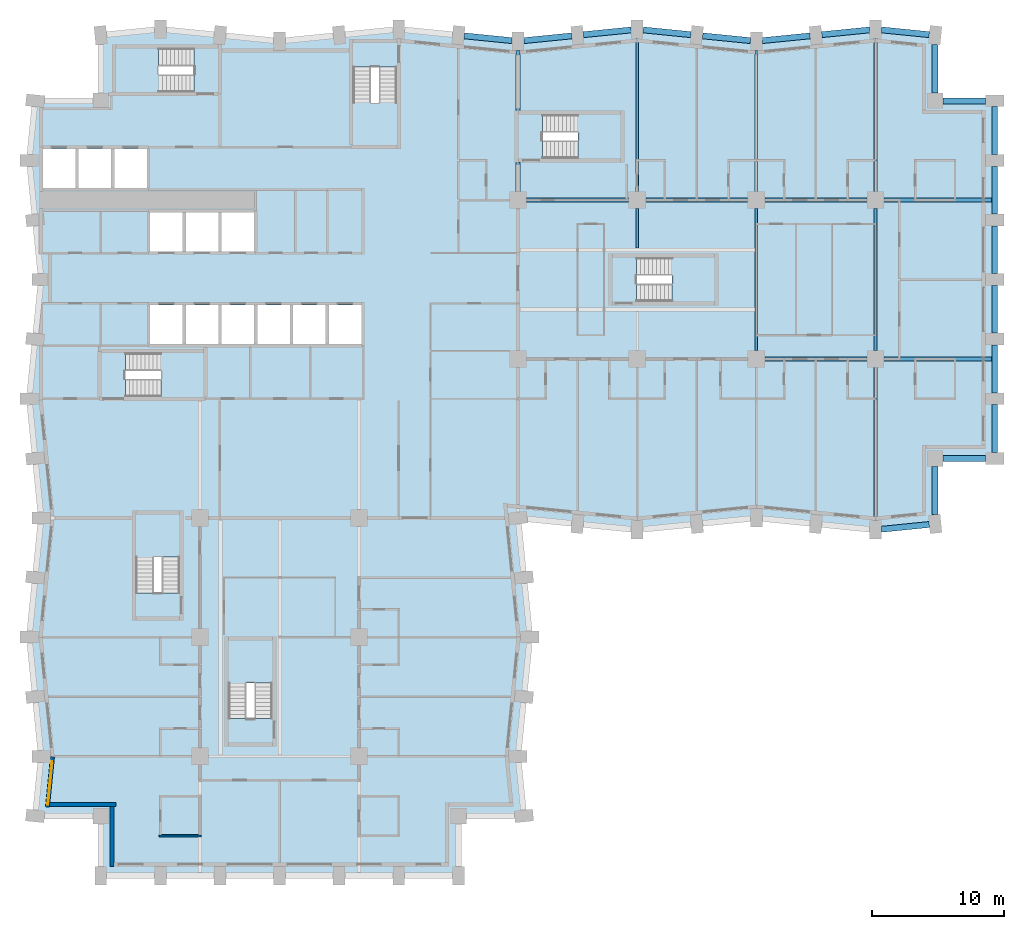
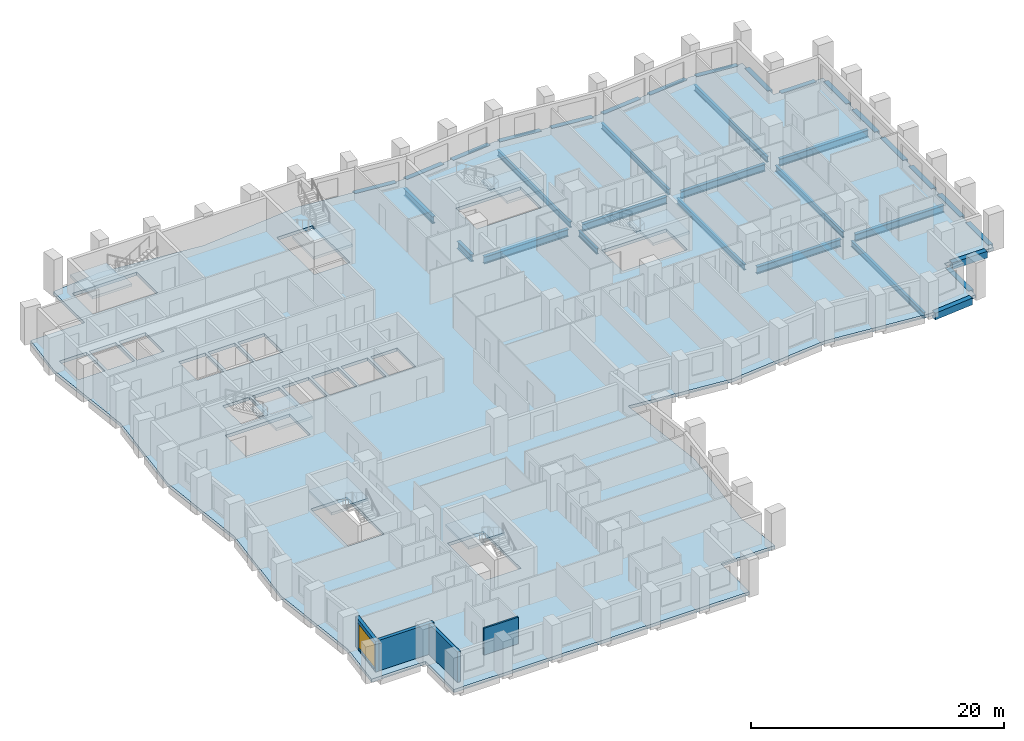
# One storey, part 2 of 13: 34 beams, 8 slabs, 4 walls, 1 window, 1 opening, 7 elements without a shape of their own.
"""IFC4 building model written with IfcOpenShell, lengths in metres."""

from ifc_helpers import new_model, si_unit, direction, frame, frame_2d, origin, origin_2d, place, context, subcontext, project, spatial, polyline, rectangle, i_section, outline, extrude, material, layer, layer_set, material_profile, profile_set, type_object, element, fill, aggregate, save


model = new_model("IFC4")

# Units and contexts
model_context = context("Model", 3, precision=1e-05, world=origin(), true_north=direction((0.0, 1.0)))
body_context = subcontext(model_context, "Body", "Model", "MODEL_VIEW")
ifc_project = project(units=[si_unit("LENGTHUNIT", "METRE"), si_unit("AREAUNIT", "SQUARE_METRE"), si_unit("VOLUMEUNIT", "CUBIC_METRE"), si_unit("PLANEANGLEUNIT", "RADIAN"), si_unit("MASSUNIT", "GRAM", prefix="KILO")], contexts=[model_context])

# Site, building, storey
site_placement = place(None, origin())
site = spatial("IfcSite", under=ifc_project, at=site_placement, CompositionType="ELEMENT")
building_placement = place(site_placement, origin())
building = spatial("IfcBuilding", under=site, at=building_placement, Name="Brondeck Convention Tower", CompositionType="ELEMENT")
storey_placement = place(building_placement, frame((0.0, 0.0, 41.10009765625)))
storey = spatial("IfcBuildingStorey", under=building, at=storey_placement, Name="L07", CompositionType="ELEMENT", Elevation=41.10009765625)

# Beams
ifc_material_1 = material(Name="Steel S355", Category="steel")
ifc_material_profile_1 = material_profile(ifc_material_1, i_section(OverallWidth=0.2099609375, OverallDepth=0.550048828125, WebThickness=0.010986328125, FlangeThickness=0.01708984375, FilletRadius=0.02392578125, at=origin_2d()), Name="IPE 550")
ifc_profile_set_1 = profile_set([ifc_material_profile_1], Name="Steel S355")
beam_type_1 = type_object("IfcBeamType", Name="Floor beam IPE 550", PredefinedType="BEAM", material=ifc_profile_set_1)
beam_1_placement = place(storey_placement, frame((45.0, 51.64990234375, -0.5751953125), z_axis=(0.0, 1.0, 0.0), x_axis=(-1.0, 0.0, 0.0)))
element("IfcBeam", 1, at=beam_1_placement, inside=storey, type_object=beam_type_1, Name="STR-FB-L07-002", PredefinedType="BEAM", context=body_context, shape_type="SweptSolid", body=[
    extrude(i_section(OverallWidth=0.2099609375, OverallDepth=0.550048828125, WebThickness=0.010986328125, FlangeThickness=0.01708984375, FilletRadius=0.02392578125, at=origin_2d()), origin(), (0.0, 0.0, 1.0), 11.550048828125),
])
beam_2_placement = place(storey_placement, frame((54.0, 39.64990234375, -0.5751953125), z_axis=(0.0, 1.0, 0.0), x_axis=(-1.0, 0.0, 0.0)))
element("IfcBeam", 2, at=beam_2_placement, inside=storey, type_object=beam_type_1, Name="STR-FB-L07-004", PredefinedType="BEAM", context=body_context, shape_type="SweptSolid", body=[
    extrude(i_section(OverallWidth=0.2099609375, OverallDepth=0.550048828125, WebThickness=0.010986328125, FlangeThickness=0.01708984375, FilletRadius=0.02392578125, at=origin_2d()), origin(), (0.0, 0.0, 1.0), 10.7001953125),
])
beam_3_placement = place(storey_placement, frame((54.0, 51.64990234375, -0.5751953125), z_axis=(0.0, 1.0, 0.0), x_axis=(-1.0, 0.0, 0.0)))
element("IfcBeam", 3, at=beam_3_placement, inside=storey, type_object=beam_type_1, Name="STR-FB-L07-005", PredefinedType="BEAM", context=body_context, shape_type="SweptSolid", body=[
    extrude(i_section(OverallWidth=0.2099609375, OverallDepth=0.550048828125, WebThickness=0.010986328125, FlangeThickness=0.01708984375, FilletRadius=0.02392578125, at=origin_2d()), origin(), (0.0, 0.0, 1.0), 10.650146484375),
])
beam_4_placement = place(storey_placement, frame((63.0, 26.800048828125, -0.5751953125), z_axis=(0.0, 1.0, 0.0), x_axis=(-1.0, 0.0, 0.0)))
element("IfcBeam", 4, at=beam_4_placement, inside=storey, type_object=beam_type_1, Name="STR-FB-L07-006", PredefinedType="BEAM", context=body_context, shape_type="SweptSolid", body=[
    extrude(i_section(OverallWidth=0.2099609375, OverallDepth=0.550048828125, WebThickness=0.010986328125, FlangeThickness=0.01708984375, FilletRadius=0.02392578125, at=origin_2d()), origin(), (0.0, 0.0, 1.0), 11.550048828125),
])
beam_5_placement = place(storey_placement, frame((63.0, 39.64990234375, -0.5751953125), z_axis=(0.0, 1.0, 0.0), x_axis=(-1.0, 0.0, 0.0)))
element("IfcBeam", 5, at=beam_5_placement, inside=storey, type_object=beam_type_1, Name="STR-FB-L07-007", PredefinedType="BEAM", context=body_context, shape_type="SweptSolid", body=[
    extrude(i_section(OverallWidth=0.2099609375, OverallDepth=0.550048828125, WebThickness=0.010986328125, FlangeThickness=0.01708984375, FilletRadius=0.02392578125, at=origin_2d()), origin(), (0.0, 0.0, 1.0), 10.7001953125),
])
beam_6_placement = place(storey_placement, frame((63.0, 51.64990234375, -0.5751953125), z_axis=(0.0, 1.0, 0.0), x_axis=(-1.0, 0.0, 0.0)))
element("IfcBeam", 6, at=beam_6_placement, inside=storey, type_object=beam_type_1, Name="STR-FB-L07-008", PredefinedType="BEAM", context=body_context, shape_type="SweptSolid", body=[
    extrude(i_section(OverallWidth=0.2099609375, OverallDepth=0.550048828125, WebThickness=0.010986328125, FlangeThickness=0.01708984375, FilletRadius=0.02392578125, at=origin_2d()), origin(), (0.0, 0.0, 1.0), 11.550048828125),
])
beam_7_placement = place(storey_placement, frame((45.0, 47.39990234375, -0.5751953125), z_axis=(0.0, 1.0, 0.0), x_axis=(-1.0, 0.0, 0.0)))
element("IfcBeam", 7, at=beam_7_placement, inside=storey, type_object=beam_type_1, Name="STR-FB-L07-015", PredefinedType="BEAM", context=body_context, shape_type="SweptSolid", body=[
    extrude(i_section(OverallWidth=0.2099609375, OverallDepth=0.550048828125, WebThickness=0.010986328125, FlangeThickness=0.01708984375, FilletRadius=0.02392578125, at=origin_2d()), origin(), (0.0, 0.0, 1.0), 2.9501953125),
])
ifc_material_profile_2 = material_profile(ifc_material_1, i_section(OverallWidth=0.300048828125, OverallDepth=0.699951171875, WebThickness=0.01708984375, FlangeThickness=0.031982421875, FilletRadius=0.027099609375, at=origin_2d()), Name="HEB 700")
ifc_profile_set_2 = profile_set([ifc_material_profile_2], Name="Steel S355")
beam_type_2 = type_object("IfcBeamType", Name="Girder HEB 700", PredefinedType="BEAM", material=ifc_profile_set_2)
beam_8_placement = place(storey_placement, frame((54.64990234375, 39.0, -0.650146484375), z_axis=(1.0, 0.0, 0.0), x_axis=(0.0, 1.0, 0.0)))
element("IfcBeam", 8, at=beam_8_placement, inside=storey, type_object=beam_type_2, Name="STR-GR-L07-003", PredefinedType="BEAM", context=body_context, shape_type="SweptSolid", body=[
    extrude(i_section(OverallWidth=0.300048828125, OverallDepth=0.699951171875, WebThickness=0.01708984375, FlangeThickness=0.031982421875, FilletRadius=0.027099609375, at=origin_2d()), origin(), (0.0, 0.0, 1.0), 7.7001953125),
])
beam_9_placement = place(storey_placement, frame((63.64990234375, 39.0, -0.650146484375), z_axis=(1.0, 0.0, 0.0), x_axis=(0.0, 1.0, 0.0)))
element("IfcBeam", 9, at=beam_9_placement, inside=storey, type_object=beam_type_2, Name="STR-GR-L07-004", PredefinedType="BEAM", context=body_context, shape_type="SweptSolid", body=[
    extrude(i_section(OverallWidth=0.300048828125, OverallDepth=0.699951171875, WebThickness=0.01708984375, FlangeThickness=0.031982421875, FilletRadius=0.027099609375, at=origin_2d()), origin(), (0.0, 0.0, 1.0), 8.125),
])
for number, where, z_axis, x_axis, name in (
    (10, (36.64990234375, 51.0, -0.650146484375), (1.0, 0.0, 0.0), (0.0, 1.0, 0.0), "STR-GR-L07-005"),
    (11, (45.64990234375, 51.0, -0.650146484375), (1.0, 0.0, 0.0), (0.0, 1.0, 0.0), "STR-GR-L07-006"),
    (12, (54.64990234375, 51.0, -0.650146484375), (1.0, 0.0, 0.0), (0.0, 1.0, 0.0), "STR-GR-L07-007"),
):
    element("IfcBeam", number, at=place(storey_placement, frame(where, z_axis=z_axis, x_axis=x_axis)), inside=storey, type_object=beam_type_2, Name=name, PredefinedType="BEAM", context=body_context, shape_type="SweptSolid", body=[
        extrude(i_section(OverallWidth=0.300048828125, OverallDepth=0.699951171875, WebThickness=0.01708984375, FlangeThickness=0.031982421875, FilletRadius=0.027099609375, at=origin_2d()), origin(), (0.0, 0.0, 1.0), 7.7001953125),
    ])
beam_10_placement = place(storey_placement, frame((63.64990234375, 51.0, -0.650146484375), z_axis=(1.0, 0.0, 0.0), x_axis=(0.0, 1.0, 0.0)))
element("IfcBeam", 13, at=beam_10_placement, inside=storey, type_object=beam_type_2, Name="STR-GR-L07-008", PredefinedType="BEAM", context=body_context, shape_type="SweptSolid", body=[
    extrude(i_section(OverallWidth=0.300048828125, OverallDepth=0.699951171875, WebThickness=0.01708984375, FlangeThickness=0.031982421875, FilletRadius=0.027099609375, at=origin_2d()), origin(), (0.0, 0.0, 1.0), 8.125),
])
beam_11_placement = place(storey_placement, frame((36.0, 51.64990234375, -0.650146484375), z_axis=(0.0, 1.0, 0.0), x_axis=(-1.0, 0.0, 0.0)))
element("IfcBeam", 14, at=beam_11_placement, inside=storey, type_object=beam_type_2, Name="STR-GR-L07-011", PredefinedType="BEAM", context=body_context, shape_type="SweptSolid", body=[
    extrude(i_section(OverallWidth=0.300048828125, OverallDepth=0.699951171875, WebThickness=0.01708984375, FlangeThickness=0.031982421875, FilletRadius=0.027099609375, at=origin_2d()), origin(), (0.0, 0.0, 1.0), 2.22998046875),
])
beam_12_placement = place(storey_placement, frame((36.0, 57.719970703125, -0.650146484375), z_axis=(0.0, 1.0, 0.0), x_axis=(-1.0, 0.0, 0.0)))
element("IfcBeam", 15, at=beam_12_placement, inside=storey, type_object=beam_type_2, Name="STR-GR-L07-012", PredefinedType="BEAM", context=body_context, shape_type="SweptSolid", body=[
    extrude(i_section(OverallWidth=0.300048828125, OverallDepth=0.699951171875, WebThickness=0.01708984375, FlangeThickness=0.031982421875, FilletRadius=0.027099609375, at=origin_2d()), origin(), (0.0, 0.0, 1.0), 4.580078125),
])
ifc_material_2 = material(Name="Concrete C80/95", Category="concrete")
ifc_material_profile_3 = material_profile(ifc_material_2, rectangle(XDim=0.449951171875, YDim=0.64990234375, at=origin_2d()), Name="Precast spandrel 450x650 Concrete C80/95")
ifc_profile_set_3 = profile_set([ifc_material_profile_3], Name="Concrete C80/95")
beam_type_3 = type_object("IfcBeamType", Name="Precast spandrel 450x650 Concrete C80/95", PredefinedType="SPANDREL", material=ifc_profile_set_3)
beam_13_placement = place(storey_placement, frame((63.449951171875, 26.14501953125, -0.3251953125), z_axis=(0.995040528141, 0.099470334057, 0.0), x_axis=(-0.099470334057, 0.995040528141, 0.0)))
element("IfcBeam", 16, at=beam_13_placement, inside=storey, type_object=beam_type_3, Name="STR-SP-L07-020", PredefinedType="SPANDREL", context=body_context, shape_type="SweptSolid", body=[
    extrude(rectangle(XDim=0.449951171875, YDim=0.64990234375, at=origin_2d()), origin(), (0.0, 0.0, 1.0), 3.620361328125),
])
beam_14_placement = place(storey_placement, frame((67.5, 27.25341796875, -0.3251953125), z_axis=(0.0, 1.0, 0.0), x_axis=(-1.0, 0.0, 0.0)))
element("IfcBeam", 17, at=beam_14_placement, inside=storey, type_object=beam_type_3, Name="STR-SP-L07-021", PredefinedType="SPANDREL", context=body_context, shape_type="SweptSolid", body=[
    extrude(rectangle(XDim=0.449951171875, YDim=0.64990234375, at=origin_2d()), origin(), (0.0, 0.0, 1.0), 3.646484375),
])
beam_15_placement = place(storey_placement, frame((68.10009765625, 31.5, -0.3251953125), z_axis=(1.0, 0.0, 0.0), x_axis=(0.0, 1.0, 0.0)))
element("IfcBeam", 18, at=beam_15_placement, inside=storey, type_object=beam_type_3, Name="STR-SP-L07-022", PredefinedType="SPANDREL", context=body_context, shape_type="SweptSolid", body=[
    extrude(rectangle(XDim=0.449951171875, YDim=0.64990234375, at=origin_2d()), origin(), (0.0, 0.0, 1.0), 3.199951171875),
])
for number, where, z_axis, x_axis, name in (
    (19, (72.0, 31.949951171875, -0.3251953125), (0.0, 1.0, 0.0), (-1.0, 0.0, 0.0), "STR-SP-L07-023"),
    (20, (72.0, 36.449951171875, -0.3251953125), (0.0, 1.0, 0.0), (-1.0, 0.0, 0.0), "STR-SP-L07-024"),
    (21, (72.0, 40.949951171875, -0.3251953125), (0.0, 1.0, 0.0), (-1.0, 0.0, 0.0), "STR-SP-L07-025"),
    (22, (72.0, 45.449951171875, -0.3251953125), (0.0, 1.0, 0.0), (-1.0, 0.0, 0.0), "STR-SP-L07-026"),
    (23, (72.0, 49.949951171875, -0.3251953125), (0.0, 1.0, 0.0), (-1.0, 0.0, 0.0), "STR-SP-L07-027"),
    (24, (72.0, 54.449951171875, -0.3251953125), (0.0, 1.0, 0.0), (-1.0, 0.0, 0.0), "STR-SP-L07-028"),
):
    element("IfcBeam", number, at=place(storey_placement, frame(where, z_axis=z_axis, x_axis=x_axis)), inside=storey, type_object=beam_type_3, Name=name, PredefinedType="SPANDREL", context=body_context, shape_type="SweptSolid", body=[
        extrude(rectangle(XDim=0.449951171875, YDim=0.64990234375, at=origin_2d()), origin(), (0.0, 0.0, 1.0), 3.60009765625),
    ])
beam_16_placement = place(storey_placement, frame((71.300048828125, 58.5, -0.3251953125), z_axis=(-1.0, 0.0, 0.0), x_axis=(0.0, -1.0, 0.0)))
element("IfcBeam", 25, at=beam_16_placement, inside=storey, type_object=beam_type_3, Name="STR-SP-L07-029", PredefinedType="SPANDREL", context=body_context, shape_type="SweptSolid", body=[
    extrude(rectangle(XDim=0.449951171875, YDim=0.64990234375, at=origin_2d()), origin(), (0.0, 0.0, 1.0), 3.199951171875),
])
beam_17_placement = place(storey_placement, frame((67.5, 59.10009765625, -0.3251953125), z_axis=(0.0, 1.0, 0.0), x_axis=(-1.0, 0.0, 0.0)))
element("IfcBeam", 26, at=beam_17_placement, inside=storey, type_object=beam_type_3, Name="STR-SP-L07-030", PredefinedType="SPANDREL", context=body_context, shape_type="SweptSolid", body=[
    extrude(rectangle(XDim=0.449951171875, YDim=0.64990234375, at=origin_2d()), origin(), (0.0, 0.0, 1.0), 3.646484375),
])
for number, where, z_axis, x_axis, name in (
    (27, (67.05224609375, 63.494873046875, -0.3251953125), (-0.995040528141, 0.099470334057, 0.0), (-0.099470334057, -0.995040528141, 0.0), "STR-SP-L07-031"),
    (28, (62.550048828125, 63.85498046875, -0.3251953125), (-0.995040528141, -0.099470334057, 0.0), (0.099470334057, -0.995040528141, 0.0), "STR-SP-L07-032"),
    (29, (58.05224609375, 63.4052734375, -0.3251953125), (-0.995033851182, -0.099537103649, 0.0), (0.099537103649, -0.995033851182, 0.0), "STR-SP-L07-033"),
    (30, (53.550048828125, 63.044921875, -0.3251953125), (-0.995033851182, 0.099537103649, 0.0), (-0.099537103649, -0.995033851182, 0.0), "STR-SP-L07-034"),
    (31, (49.05224609375, 63.494873046875, -0.3251953125), (-0.995040528141, 0.099470334057, 0.0), (-0.099470334057, -0.995040528141, 0.0), "STR-SP-L07-035"),
    (32, (44.550048828125, 63.85498046875, -0.3251953125), (-0.995040528141, -0.099470334057, 0.0), (0.099470334057, -0.995040528141, 0.0), "STR-SP-L07-036"),
    (33, (40.05224609375, 63.4052734375, -0.3251953125), (-0.995033851182, -0.099537103649, 0.0), (0.099537103649, -0.995033851182, 0.0), "STR-SP-L07-037"),
    (34, (35.550048828125, 63.044921875, -0.3251953125), (-0.995033851182, 0.099537103649, 0.0), (-0.099537103649, -0.995033851182, 0.0), "STR-SP-L07-038"),
):
    element("IfcBeam", number, at=place(storey_placement, frame(where, z_axis=z_axis, x_axis=x_axis)), inside=storey, type_object=beam_type_3, Name=name, PredefinedType="SPANDREL", context=body_context, shape_type="SweptSolid", body=[
        extrude(rectangle(XDim=0.449951171875, YDim=0.64990234375, at=origin_2d()), origin(), (0.0, 0.0, 1.0), 3.620361328125),
    ])

# Slab
ifc_material_3 = material(Name="Concrete C35/45", Category="concrete")
ifc_layer_1 = layer(ifc_material_3, 0.300048828125)
ifc_layer_set_1 = layer_set([ifc_layer_1], Name="Composite floor slab 300")
slab_type_1 = type_object("IfcSlabType", Name="Composite floor slab 300", PredefinedType="FLOOR", material=ifc_layer_set_1)
slab_1_placement = place(storey_placement, frame((0.0, 0.0, -0.300048828125)))
element("IfcSlab", 35, at=slab_1_placement, inside=storey, type_object=slab_type_1, Name="STR-SL-L07", PredefinedType="FLOOR", context=body_context, shape_type="SweptSolid", body=[
    extrude(outline(polyline([(4.5, 4.5), (-0.449951171875, 4.5), (0.0, 9.0), (-0.89990234375, 18.0), (0.0, 27.0), (-0.89990234375, 36.0), (0.0, 45.0), (-0.89990234375, 54.0), (-0.449951171875, 58.5), (4.5, 58.5), (4.5, 63.449951171875), (9.0, 63.89990234375), (18.0, 63.0), (27.0, 63.89990234375), (36.0, 63.0), (45.0, 63.89990234375), (54.0, 63.0), (63.0, 63.89990234375), (67.5, 63.449951171875), (67.5, 58.5), (72.0, 58.5), (72.0, 31.5), (67.5, 31.5), (67.5, 26.550048828125), (63.0, 26.10009765625), (54.0, 27.0), (45.0, 26.10009765625), (36.0, 27.0), (36.89990234375, 18.0), (36.0, 9.0), (36.449951171875, 4.5), (31.5, 4.5), (31.5, 0.0), (4.5, 0.0), (4.5, 4.5)]), holes=[polyline([(10.447998046875, 27.248046875), (7.152099609375, 27.248046875), (7.152099609375, 21.35205078125), (10.447998046875, 21.35205078125), (10.447998046875, 27.248046875)]), polyline([(12.248046875, 36.152099609375), (12.248046875, 39.447998046875), (6.35205078125, 39.447998046875), (6.35205078125, 36.152099609375), (12.248046875, 36.152099609375)]), polyline([(10.675048828125, 40.125), (10.675048828125, 43.074951171875), (8.22509765625, 43.074951171875), (8.22509765625, 40.125), (10.675048828125, 40.125)]), polyline([(13.375, 40.125), (13.375, 43.074951171875), (10.925048828125, 43.074951171875), (10.925048828125, 40.125), (13.375, 40.125)]), polyline([(10.675048828125, 47.125), (10.675048828125, 50.074951171875), (8.22509765625, 50.074951171875), (8.22509765625, 47.125), (10.675048828125, 47.125)]), polyline([(13.375, 47.125), (13.375, 50.074951171875), (10.925048828125, 50.074951171875), (10.925048828125, 47.125), (13.375, 47.125)]), polyline([(2.574951171875, 51.925048828125), (2.574951171875, 54.875), (0.125, 54.875), (0.125, 51.925048828125), (2.574951171875, 51.925048828125)]), polyline([(2.824951171875, 51.925048828125), (5.27490234375, 51.925048828125), (5.27490234375, 54.875), (2.824951171875, 54.875), (2.824951171875, 51.925048828125)]), polyline([(5.52490234375, 51.925048828125), (7.97509765625, 51.925048828125), (7.97509765625, 54.875), (5.52490234375, 54.875), (5.52490234375, 51.925048828125)]), polyline([(5.652099609375, 62.447998046875), (5.652099609375, 59.152099609375), (11.548095703125, 59.152099609375), (11.548095703125, 62.447998046875), (5.652099609375, 62.447998046875)]), polyline([(17.447998046875, 17.748046875), (14.152099609375, 17.748046875), (14.152099609375, 11.85205078125), (17.447998046875, 11.85205078125), (17.447998046875, 17.748046875)]), polyline([(16.074951171875, 40.125), (16.074951171875, 43.074951171875), (13.625, 43.074951171875), (13.625, 40.125), (16.074951171875, 40.125)]), polyline([(16.324951171875, 40.125), (18.77490234375, 40.125), (18.77490234375, 43.074951171875), (16.324951171875, 43.074951171875), (16.324951171875, 40.125)]), polyline([(19.02490234375, 40.125), (21.47509765625, 40.125), (21.47509765625, 43.074951171875), (19.02490234375, 43.074951171875), (19.02490234375, 40.125)]), polyline([(24.175048828125, 40.125), (24.175048828125, 43.074951171875), (21.72509765625, 43.074951171875), (21.72509765625, 40.125), (24.175048828125, 40.125)]), polyline([(50.847900390625, 43.35205078125), (50.847900390625, 46.64794921875), (44.951904296875, 46.64794921875), (44.951904296875, 43.35205078125), (50.847900390625, 43.35205078125)]), polyline([(16.074951171875, 47.125), (16.074951171875, 50.074951171875), (13.625, 50.074951171875), (13.625, 47.125), (16.074951171875, 47.125)]), polyline([(37.85205078125, 54.152099609375), (43.748046875, 54.152099609375), (43.748046875, 57.447998046875), (37.85205078125, 57.447998046875), (37.85205078125, 54.152099609375)]), polyline([(23.552001953125, 61.048095703125), (23.552001953125, 55.152099609375), (26.847900390625, 55.152099609375), (26.847900390625, 61.048095703125), (23.552001953125, 61.048095703125)])]), origin(), (0.0, 0.0, 1.0), 0.300048828125),
])

# Stair, slab
ifc_material_4 = material(Name="Precast concrete C50/60", Category="concrete")
stair_type = type_object("IfcStairType", Name="Core stair 20 risers 180.00 mm riser 300 mm going 1350 wide", PredefinedType="HALF_TURN_STAIR", material=ifc_material_4)
stair_1_placement = place(storey_placement, origin())
stair_1 = element("IfcStair", 36, at=stair_1_placement, inside=storey, type_object=stair_type, Name="ST-1 L07 stair", PredefinedType="HALF_TURN_STAIR")
ifc_layer_2 = layer(ifc_material_4, 0.25)
ifc_layer_set_2 = layer_set([ifc_layer_2], Name="Core stair landing 250 Precast concrete C50/60")
slab_type_2 = type_object("IfcSlabType", Name="Core stair landing 250 Precast concrete C50/60", PredefinedType="LANDING", material=ifc_layer_set_2)
slab_2_placement = place(storey_placement, frame((0.0, 0.0, 1.5498046875)))
slab_2 = element("IfcSlab", 37, at=slab_2_placement, type_object=slab_type_2, Name="ST-1 landing 1", PredefinedType="LANDING", context=body_context, shape_type="SweptSolid", body=[
    extrude(outline(polyline([(9.048095703125, 37.5), (9.050048828125, 37.5), (9.050048828125, 38.10009765625), (8.75, 38.10009765625), (8.75, 39.570068359375), (12.3701171875, 39.570068359375), (12.3701171875, 36.030029296875), (9.048095703125, 36.030029296875), (9.048095703125, 37.5)])), origin(), (0.0, 0.0, 1.0), 0.25),
])
aggregate(stair_1, [slab_2])

stair_2_placement = place(storey_placement, origin())
stair_2 = element("IfcStair", 38, at=stair_2_placement, inside=storey, type_object=stair_type, Name="ST-2 L07 stair", PredefinedType="HALF_TURN_STAIR")
slab_3_placement = place(storey_placement, frame((0.0, 0.0, 1.5498046875)))
slab_3 = element("IfcSlab", 39, at=slab_3_placement, type_object=slab_type_2, Name="ST-2 landing 1", PredefinedType="LANDING", context=body_context, shape_type="SweptSolid", body=[
    extrude(outline(polyline([(23.429931640625, 58.35205078125), (24.89990234375, 58.35205078125), (24.89990234375, 58.35009765625), (25.5, 58.35009765625), (25.5, 58.64990234375), (26.969970703125, 58.64990234375), (26.969970703125, 55.030029296875), (23.429931640625, 55.030029296875), (23.429931640625, 58.35205078125)])), origin(), (0.0, 0.0, 1.0), 0.25),
])
aggregate(stair_2, [slab_3])

stair_3_placement = place(storey_placement, origin())
stair_3 = element("IfcStair", 40, at=stair_3_placement, inside=storey, type_object=stair_type, Name="ST-3 L07 stair", PredefinedType="HALF_TURN_STAIR")
slab_4_placement = place(storey_placement, frame((0.0, 0.0, 1.5498046875)))
slab_4 = element("IfcSlab", 41, at=slab_4_placement, type_object=slab_type_2, Name="ST-3 landing 1", PredefinedType="LANDING", context=body_context, shape_type="SweptSolid", body=[
    extrude(outline(polyline([(9.14990234375, 60.5), (9.14990234375, 59.030029296875), (5.530029296875, 59.030029296875), (5.530029296875, 62.570068359375), (8.85205078125, 62.570068359375), (8.85205078125, 61.10009765625), (8.85009765625, 61.10009765625), (8.85009765625, 60.5), (9.14990234375, 60.5)])), origin(), (0.0, 0.0, 1.0), 0.25),
])
aggregate(stair_3, [slab_4])

stair_4_placement = place(storey_placement, origin())
stair_4 = element("IfcStair", 42, at=stair_4_placement, inside=storey, type_object=stair_type, Name="ST-AE L07 stair", PredefinedType="HALF_TURN_STAIR")
slab_5_placement = place(storey_placement, frame((0.0, 0.0, 1.5498046875)))
slab_5 = element("IfcSlab", 43, at=slab_5_placement, type_object=slab_type_2, Name="ST-AE landing 1", PredefinedType="LANDING", context=body_context, shape_type="SweptSolid", body=[
    extrude(outline(polyline([(40.548095703125, 55.5), (40.550048828125, 55.5), (40.550048828125, 56.10009765625), (40.25, 56.10009765625), (40.25, 57.570068359375), (43.8701171875, 57.570068359375), (43.8701171875, 54.030029296875), (40.548095703125, 54.030029296875), (40.548095703125, 55.5)])), origin(), (0.0, 0.0, 1.0), 0.25),
])
aggregate(stair_4, [slab_5])

stair_5_placement = place(storey_placement, origin())
stair_5 = element("IfcStair", 44, at=stair_5_placement, inside=storey, type_object=stair_type, Name="ST-BE L07 stair", PredefinedType="HALF_TURN_STAIR")
slab_6_placement = place(storey_placement, frame((0.0, 0.0, 1.5498046875)))
slab_6 = element("IfcSlab", 45, at=slab_6_placement, type_object=slab_type_2, Name="ST-BE landing 1", PredefinedType="LANDING", context=body_context, shape_type="SweptSolid", body=[
    extrude(outline(polyline([(7.030029296875, 23.75), (7.030029296875, 27.3701171875), (10.570068359375, 27.3701171875), (10.570068359375, 24.048095703125), (9.10009765625, 24.048095703125), (9.10009765625, 24.050048828125), (8.5, 24.050048828125), (8.5, 23.75), (7.030029296875, 23.75)])), origin(), (0.0, 0.0, 1.0), 0.25),
])
aggregate(stair_5, [slab_6])

stair_6_placement = place(storey_placement, origin())
stair_6 = element("IfcStair", 46, at=stair_6_placement, inside=storey, type_object=stair_type, Name="ST-AF L07 stair", PredefinedType="HALF_TURN_STAIR")
slab_7_placement = place(storey_placement, frame((0.0, 0.0, 1.5498046875)))
slab_7 = element("IfcSlab", 47, at=slab_7_placement, type_object=slab_type_2, Name="ST-AF landing 1", PredefinedType="LANDING", context=body_context, shape_type="SweptSolid", body=[
    extrude(outline(polyline([(47.64794921875, 44.699951171875), (47.64990234375, 44.699951171875), (47.64990234375, 45.300048828125), (47.35009765625, 45.300048828125), (47.35009765625, 46.77001953125), (50.969970703125, 46.77001953125), (50.969970703125, 43.22998046875), (47.64794921875, 43.22998046875), (47.64794921875, 44.699951171875)])), origin(), (0.0, 0.0, 1.0), 0.25),
])
aggregate(stair_6, [slab_7])

stair_7_placement = place(storey_placement, origin())
stair_7 = element("IfcStair", 48, at=stair_7_placement, inside=storey, type_object=stair_type, Name="ST-BF L07 stair", PredefinedType="HALF_TURN_STAIR")
slab_8_placement = place(storey_placement, frame((0.0, 0.0, 1.5498046875)))
slab_8 = element("IfcSlab", 49, at=slab_8_placement, type_object=slab_type_2, Name="ST-BF landing 1", PredefinedType="LANDING", context=body_context, shape_type="SweptSolid", body=[
    extrude(outline(polyline([(14.030029296875, 14.25), (14.030029296875, 17.8701171875), (17.570068359375, 17.8701171875), (17.570068359375, 14.548095703125), (16.10009765625, 14.548095703125), (16.10009765625, 14.550048828125), (15.5, 14.550048828125), (15.5, 14.25), (14.030029296875, 14.25)])), origin(), (0.0, 0.0, 1.0), 0.25),
])
aggregate(stair_7, [slab_8])

# Wall, opening, window
ifc_material_5 = material(Name="Precast concrete C50/60 bronze finish", Category="concrete")
ifc_layer_3 = layer(ifc_material_5, 0.070068359375, Name="Bronze precast facing")
ifc_material_6 = material(Name="Mineral wool")
ifc_layer_4 = layer(ifc_material_6, 0.159912109375, Name="Insulation")
ifc_layer_5 = layer(ifc_material_3, 0.070068359375, Name="Backing")
ifc_layer_set_3 = layer_set([ifc_layer_3, ifc_layer_4, ifc_layer_5], Name="External infill wall, precast concrete C50/60 bronze facing")
wall_type_1 = type_object("IfcWallType", Name="External infill wall, precast concrete C50/60 bronze facing", PredefinedType="SOLIDWALL", material=ifc_layer_set_3)
wall_1_placement = place(storey_placement, frame((0.47265625, 5.18505859375, 0.0), z_axis=(0.0, 0.0, 1.0), x_axis=(0.099541845169, 0.995033376857, 0.0)))
wall_1 = element("IfcWall", 50, at=wall_1_placement, inside=storey, type_object=wall_type_1, Name="ENV-EW-L07-P0-B-W-12", PredefinedType="SOLIDWALL", context=body_context, shape_type="SweptSolid", body=[
    extrude(rectangle(XDim=3.803955078125, YDim=0.300048828125, at=frame_2d((1.90185546875, 0.0))), origin(), (0.0, 0.0, 1.0), 2.949951171875),
])
opening_placement = place(wall_1_placement, frame((0.14990234375, 0.0, 0.14990234375)))
opening = element("IfcOpeningElement", 51, at=opening_placement, cuts=wall_1, Name="Opening W9", PredefinedType="OPENING", context=body_context, shape_type="SweptSolid", body=[
    extrude(rectangle(XDim=3.300048828125, YDim=2.39990234375, at=frame_2d((1.64990234375, 1.199951171875))), frame((0.0, 0.159912109375, 0.0), z_axis=(0.0, -1.0, 0.0), x_axis=(1.0, 0.0, 0.0)), (0.0, 0.0, 1.0), 0.320068359375),
])
ifc_material_7 = material(Name="Bronze tinted double glazing", Category="glass")
window_type = type_object("IfcWindowType", Name="Glazed flute window, bronze tinted", PartitioningType="SINGLE_PANEL", PredefinedType="WINDOW", material=ifc_material_7)
window_placement = place(opening_placement, origin())
window = element("IfcWindow", 52, at=window_placement, inside=storey, type_object=window_type, Name="ENV-WN-L07-P0-B-W-12", OverallHeight=2.39990234375, OverallWidth=3.300048828125, PartitioningType="SINGLE_PANEL", PredefinedType="WINDOW", context=body_context, shape_type="SweptSolid", body=[
    extrude(rectangle(XDim=3.300048828125, YDim=2.39990234375, at=frame_2d((1.64990234375, 1.199951171875))), frame((0.0, 0.030029296875, 0.0), z_axis=(0.0, -1.0, 0.0), x_axis=(1.0, 0.0, 0.0)), (0.0, 0.0, 1.0), 0.06005859375),
])
fill(opening, window)

# Walls
wall_2_placement = place(storey_placement, frame((5.64990234375, 5.35009765625, 0.0), z_axis=(0.0, 0.0, 1.0), x_axis=(-1.0, 0.0, 0.0)))
element("IfcWall", 53, at=wall_2_placement, inside=storey, type_object=wall_type_1, Name="ENV-EW-L07-P0-NC-SWB0-01", PredefinedType="SOLIDWALL", context=body_context, shape_type="SweptSolid", body=[
    extrude(rectangle(XDim=5.004638671875, YDim=0.300048828125, at=frame_2d((2.50244140625, 0.0))), origin(), (0.0, 0.0, 1.0), 2.949951171875),
])
wall_3_placement = place(storey_placement, frame((5.35009765625, 0.699951171875, 0.0), z_axis=(0.0, 0.0, 1.0), x_axis=(0.0, 1.0, 0.0)))
element("IfcWall", 54, at=wall_3_placement, inside=storey, type_object=wall_type_1, Name="ENV-EW-L07-P0-NC-SWB0-02", PredefinedType="SOLIDWALL", context=body_context, shape_type="SweptSolid", body=[
    extrude(rectangle(XDim=4.5, YDim=0.300048828125, at=frame_2d((2.25, 0.0))), origin(), (0.0, 0.0, 1.0), 2.949951171875),
])
ifc_material_8 = material(Name="Double gypsum board acoustic wall")
ifc_layer_6 = layer(ifc_material_8, 0.14990234375)
ifc_layer_set_4 = layer_set([ifc_layer_6], Name="Guest room party wall 150")
wall_type_2 = type_object("IfcWallType", Name="Guest room party wall 150", PredefinedType="PARTITIONING", material=ifc_layer_set_4)
wall_4_placement = place(storey_placement, frame((8.925048828125, 3.0, 0.0), z_axis=(0.0, 0.0, 1.0), x_axis=(1.0, 0.0, 0.0)))
element("IfcWall", 55, at=wall_4_placement, inside=storey, type_object=wall_type_2, Name="FLR-L07-W001", PredefinedType="PARTITIONING", context=body_context, shape_type="SweptSolid", body=[
    extrude(rectangle(XDim=3.14990234375, YDim=0.14990234375, at=frame_2d((1.574951171875, 0.0))), origin(), (0.0, 0.0, 1.0), 2.579833984375),
])

save(model, "model.ifc")
